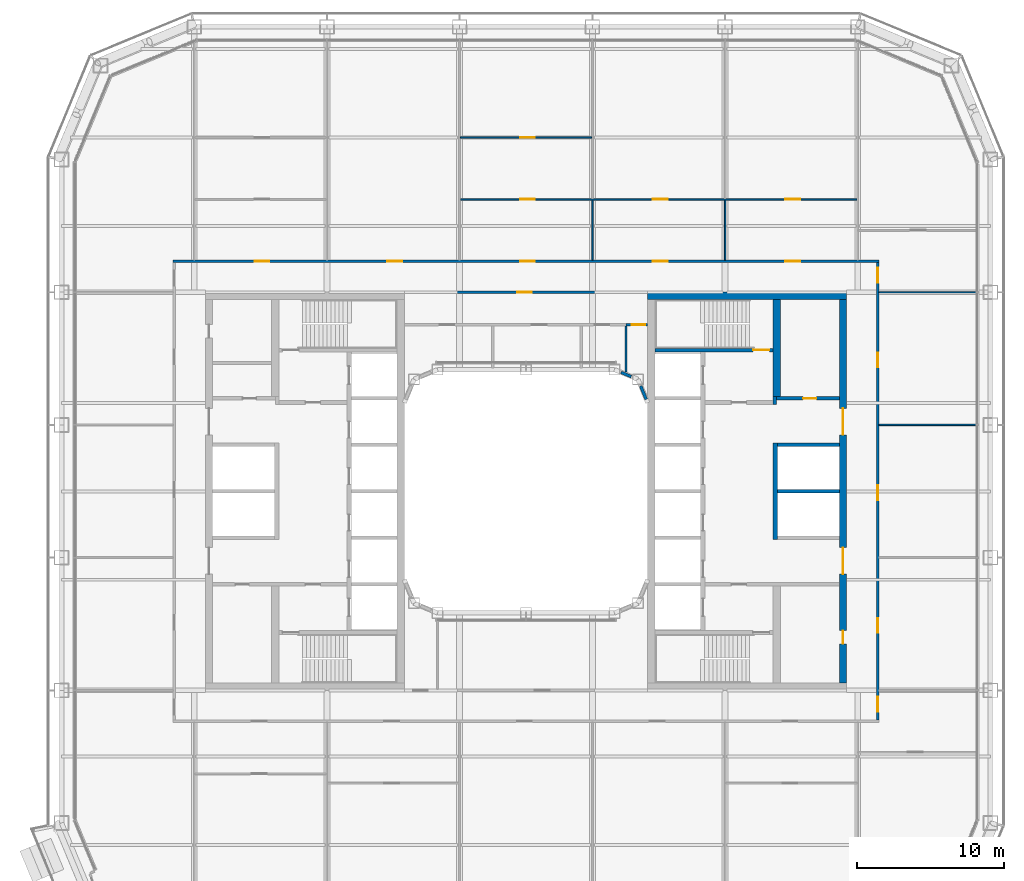
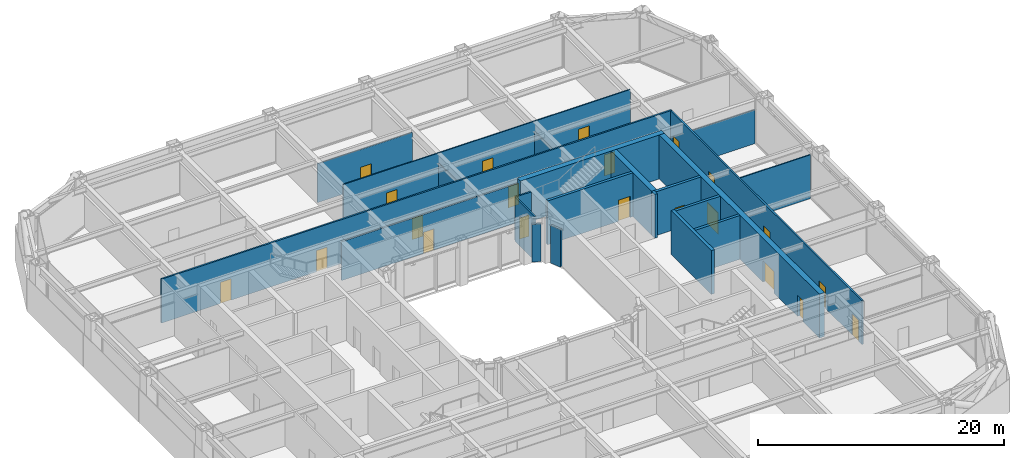
# One storey, part 16 of 27: 22 walls, 21 doors, 21 openings.
"""IFC4 building model written with IfcOpenShell, lengths in metres."""

from ifc_helpers import new_model, si_unit, direction, frame, frame_2d, origin, place, context, subcontext, project, spatial, rectangle, extrude, material, layer, layer_set, type_object, element, fill, save


model = new_model("IFC4")

# Units and contexts
model_context = context("Model", 3, precision=1e-05, world=origin(), true_north=direction((0.0, 1.0)))
body_context = subcontext(model_context, "Body", "Model", "MODEL_VIEW")
ifc_project = project(units=[si_unit("LENGTHUNIT", "METRE"), si_unit("AREAUNIT", "SQUARE_METRE"), si_unit("VOLUMEUNIT", "CUBIC_METRE"), si_unit("PLANEANGLEUNIT", "RADIAN"), si_unit("MASSUNIT", "GRAM", prefix="KILO")], contexts=[model_context])

# Site, building, storey
site_placement = place(None, origin())
site = spatial("IfcSite", under=ifc_project, at=site_placement, CompositionType="ELEMENT")
building_placement = place(site_placement, origin())
building = spatial("IfcBuilding", under=site, at=building_placement, Name="Siwar Civic Tower", CompositionType="ELEMENT")
storey_placement = place(building_placement, frame((0.0, 0.0, 53.699951171875)))
storey = spatial("IfcBuildingStorey", under=building, at=storey_placement, Name="L11", CompositionType="ELEMENT", Elevation=53.699951171875)

# Wall, opening, door
ifc_material_1 = material(Name="Gypsum board on steel studs", Category="steel")
ifc_layer_1 = layer(ifc_material_1, 0.14990234375)
ifc_layer_set_1 = layer_set([ifc_layer_1], Name="Gypsum board on steel studs")
wall_type_1 = type_object("IfcWallType", Name="COMPARTMENT PARTITION 150 EI 60", PredefinedType="PARTITIONING", material=ifc_layer_set_1)
wall_1_placement = place(storey_placement, frame((6.780029296875, 11.300048828125, 0.0), z_axis=(0.0, 0.0, 1.0), x_axis=(1.0, 0.0, 0.0)))
wall_1 = element("IfcWall", 1, at=wall_1_placement, inside=storey, type_object=wall_type_1, Name="L11/wall/P14", PredefinedType="PARTITIONING", context=body_context, shape_type="SweptSolid", body=[
    extrude(rectangle(XDim=1.469970703125, YDim=0.14990234375, at=frame_2d((0.73486328125, 0.0))), origin(), (0.0, 0.0, 1.0), 4.35009765625),
])
opening_1_placement = place(wall_1_placement, frame((0.39990234375, 0.0, 0.0)))
opening_1 = element("IfcOpeningElement", 2, at=opening_1_placement, cuts=wall_1, Name="Opening D4", PredefinedType="OPENING", context=body_context, shape_type="SweptSolid", body=[
    extrude(rectangle(XDim=0.89990234375, YDim=2.10009765625, at=frame_2d((0.449951171875, 1.050048828125))), frame((0.0, 0.0849609375, 0.0), z_axis=(0.0, -1.0, 0.0), x_axis=(1.0, 0.0, 0.0)), (0.0, 0.0, 1.0), 0.169921875),
])
ifc_material_2 = material(Name="Timber, painted", Category="wood")
door_type_1 = type_object("IfcDoorType", Name="DOOR 900 X 2100 FD60", OperationType="SINGLE_SWING_LEFT", PredefinedType="DOOR", material=ifc_material_2)
door_1_placement = place(opening_1_placement, origin())
door_1 = element("IfcDoor", 3, at=door_1_placement, inside=storey, type_object=door_type_1, Name="L11-D36", OperationType="SINGLE_SWING_RIGHT", OverallHeight=2.10009765625, OverallWidth=0.89990234375, PredefinedType="DOOR", context=body_context, shape_type="SweptSolid", body=[
    extrude(rectangle(XDim=0.89990234375, YDim=2.10009765625, at=frame_2d((0.449951171875, 1.050048828125))), frame((0.0, 0.02490234375, 0.0), z_axis=(0.0, -1.0, 0.0), x_axis=(1.0, 0.0, 0.0)), (0.0, 0.0, 1.0), 0.050048828125),
])
fill(opening_1, door_1)

# Walls
wall_2_placement = place(storey_placement, frame((6.780029296875, 8.0791015625, 0.0), z_axis=(0.0, 0.0, 1.0), x_axis=(0.0, 1.0, 0.0)))
element("IfcWall", 4, at=wall_2_placement, inside=storey, type_object=wall_type_1, Name="L11/wall/P37", PredefinedType="PARTITIONING", context=body_context, shape_type="SweptSolid", body=[
    extrude(rectangle(XDim=3.14599609375, YDim=0.14990234375, at=frame_2d((1.572998046875, 0.0))), origin(), (0.0, 0.0, 1.0), 4.35009765625),
])
ifc_material_3 = material(Name="Concrete C60/75", Category="concrete")
ifc_layer_2 = layer(ifc_material_3, 0.25)
ifc_layer_set_2 = layer_set([ifc_layer_2], Name="Concrete C60/75")
wall_type_2 = type_object("IfcWallType", Name="CORE-WALL-RC250", PredefinedType="SHEAR", material=ifc_layer_set_2)
wall_3_placement = place(storey_placement, frame((16.875, 5.89990234375, 0.0), z_axis=(0.0, 0.0, 1.0), x_axis=(0.0, 1.0, 0.0)))
element("IfcWall", 5, at=wall_3_placement, inside=storey, type_object=wall_type_2, Name="Core wall E", PredefinedType="SHEAR", context=body_context, shape_type="SweptSolid", body=[
    extrude(rectangle(XDim=0.525146484375, YDim=0.25, at=frame_2d((0.2626953125, 0.0))), origin(), (0.0, 0.0, 1.0), 4.35009765625),
])

# Wall, opening, door
wall_4_placement = place(storey_placement, frame((17.0, 6.300048828125, 0.0), z_axis=(0.0, 0.0, 1.0), x_axis=(1.0, 0.0, 0.0)))
wall_4 = element("IfcWall", 6, at=wall_4_placement, inside=storey, type_object=wall_type_2, Name="Core wall E", PredefinedType="SHEAR", context=body_context, shape_type="SweptSolid", body=[
    extrude(rectangle(XDim=4.25, YDim=0.25, at=frame_2d((2.125, 0.0))), origin(), (0.0, 0.0, 1.0), 4.35009765625),
])
opening_2_placement = place(wall_4_placement, frame((1.800048828125, 0.0, 0.0)))
opening_2 = element("IfcOpeningElement", 7, at=opening_2_placement, cuts=wall_4, Name="Opening L11-CE13", PredefinedType="OPENING", context=body_context, shape_type="SweptSolid", body=[
    extrude(rectangle(XDim=0.89990234375, YDim=2.10009765625, at=frame_2d((0.449951171875, 1.050048828125))), frame((0.0, 0.135009765625, 0.0), z_axis=(0.0, -1.0, 0.0), x_axis=(1.0, 0.0, 0.0)), (0.0, 0.0, 1.0), 0.27001953125),
])
ifc_material_4 = material(Name="Steel door leaf", Category="steel")
door_type_2 = type_object("IfcDoorType", Name="CORE-DOOR-ROOM", OperationType="SINGLE_SWING_LEFT", PredefinedType="DOOR", material=ifc_material_4)
door_2_placement = place(opening_2_placement, origin())
door_2 = element("IfcDoor", 8, at=door_2_placement, inside=storey, type_object=door_type_2, Name="Core room door L11-CE13", OperationType="SINGLE_SWING_RIGHT", OverallHeight=2.10009765625, OverallWidth=0.89990234375, PredefinedType="DOOR", context=body_context, shape_type="SweptSolid", body=[
    extrude(rectangle(XDim=0.89990234375, YDim=2.10009765625, at=frame_2d((0.449951171875, 1.050048828125))), frame((0.0, 0.02490234375, 0.0), z_axis=(0.0, -1.0, 0.0), x_axis=(1.0, 0.0, 0.0)), (0.0, 0.0, 1.0), 0.050048828125),
])
fill(opening_2, door_2)

# Walls
for number, where, z_axis, x_axis, name in (
    (9, (17.050048828125, 0.0, 0.0), (0.0, 0.0, 1.0), (1.0, 0.0, 0.0), "Core wall E"),
    (10, (17.050048828125, 3.14990234375, 0.0), (0.0, 0.0, 1.0), (1.0, 0.0, 0.0), "Core wall E"),
):
    element("IfcWall", number, at=place(storey_placement, frame(where, z_axis=z_axis, x_axis=x_axis)), inside=storey, type_object=wall_type_2, Name=name, PredefinedType="SHEAR", context=body_context, shape_type="SweptSolid", body=[
        extrude(rectangle(XDim=4.199951171875, YDim=0.25, at=frame_2d((2.10009765625, 0.0))), origin(), (0.0, 0.0, 1.0), 4.35009765625),
    ])

# Wall, opening, door
wall_5_placement = place(storey_placement, frame((8.75, 9.574951171875, 0.0), z_axis=(0.0, 0.0, 1.0), x_axis=(1.0, 0.0, 0.0)))
wall_5 = element("IfcWall", 11, at=wall_5_placement, inside=storey, type_object=wall_type_2, Name="Core wall E", PredefinedType="SHEAR", context=body_context, shape_type="SweptSolid", body=[
    extrude(rectangle(XDim=8.0, YDim=0.25, at=frame_2d((4.0, 0.0))), origin(), (0.0, 0.0, 1.0), 4.35009765625),
])
opening_3_placement = place(wall_5_placement, frame((6.64990234375, 0.0, 0.0)))
opening_3 = element("IfcOpeningElement", 12, at=opening_3_placement, cuts=wall_5, Name="Opening L11-CE03", PredefinedType="OPENING", context=body_context, shape_type="SweptSolid", body=[
    extrude(rectangle(XDim=1.10009765625, YDim=2.10009765625, at=frame_2d((0.550048828125, 1.050048828125))), frame((0.0, 0.135009765625, 0.0), z_axis=(0.0, -1.0, 0.0), x_axis=(1.0, 0.0, 0.0)), (0.0, 0.0, 1.0), 0.27001953125),
])
ifc_material_5 = material(Name="Steel door leaf", Category="steel")
door_type_3 = type_object("IfcDoorType", Name="CORE-DOOR-FD60S", OperationType="SINGLE_SWING_LEFT", PredefinedType="DOOR", material=ifc_material_5)
door_3_placement = place(opening_3_placement, origin())
door_3 = element("IfcDoor", 13, at=door_3_placement, inside=storey, type_object=door_type_3, Name="Stair door L11-CE03", OperationType="SINGLE_SWING_LEFT", OverallHeight=2.10009765625, OverallWidth=1.10009765625, PredefinedType="DOOR", context=body_context, shape_type="SweptSolid", body=[
    extrude(rectangle(XDim=1.10009765625, YDim=2.10009765625, at=frame_2d((0.550048828125, 1.050048828125))), frame((0.0, 0.02490234375, 0.0), z_axis=(0.0, -1.0, 0.0), x_axis=(1.0, 0.0, 0.0)), (0.0, 0.0, 1.0), 0.050048828125),
])
fill(opening_3, door_3)

# Wall
ifc_material_6 = material(Name="Concrete C60/75", Category="concrete")
ifc_layer_3 = layer(ifc_material_6, 0.300048828125)
ifc_layer_set_3 = layer_set([ifc_layer_3], Name="Concrete C60/75")
wall_type_3 = type_object("IfcWallType", Name="CORE-WALL-RC300", PredefinedType="SHEAR", material=ifc_layer_set_3)
wall_6_placement = place(storey_placement, frame((16.89990234375, -3.27490234375, 0.0), z_axis=(0.0, 0.0, 1.0), x_axis=(0.0, 1.0, 0.0)))
element("IfcWall", 14, at=wall_6_placement, inside=storey, type_object=wall_type_3, Name="Core wall E", PredefinedType="SHEAR", context=body_context, shape_type="SweptSolid", body=[
    extrude(rectangle(XDim=6.5498046875, YDim=0.300048828125, at=frame_2d((3.27490234375, 0.0))), origin(), (0.0, 0.0, 1.0), 4.35009765625),
])

# Wall, openings, doors
ifc_material_7 = material(Name="Concrete C60/75", Category="concrete")
ifc_layer_4 = layer(ifc_material_7, 0.5)
ifc_layer_set_4 = layer_set([ifc_layer_4], Name="Concrete C60/75")
wall_type_4 = type_object("IfcWallType", Name="CORE-WALL-RC500", PredefinedType="SHEAR", material=ifc_layer_set_4)
wall_7_placement = place(storey_placement, frame((21.5, -13.0, 0.0), z_axis=(0.0, 0.0, 1.0), x_axis=(0.0, 1.0, 0.0)))
wall_7 = element("IfcWall", 15, at=wall_7_placement, inside=storey, type_object=wall_type_4, Name="Core wall E", PredefinedType="SHEAR", context=body_context, shape_type="SweptSolid", body=[
    extrude(rectangle(XDim=26.0, YDim=0.5, at=frame_2d((13.0, 0.0))), origin(), (0.0, 0.0, 1.0), 4.35009765625),
])
opening_4_placement = place(wall_7_placement, frame((16.824951171875, 0.0, 0.0)))
opening_4 = element("IfcOpeningElement", 16, at=opening_4_placement, cuts=wall_7, Name="Opening L11-CE05", PredefinedType="OPENING", context=body_context, shape_type="SweptSolid", body=[
    extrude(rectangle(XDim=1.800048828125, YDim=2.10009765625, at=frame_2d((0.89990234375, 1.050048828125))), frame((0.0, 0.260009765625, 0.0), z_axis=(0.0, -1.0, 0.0), x_axis=(1.0, 0.0, 0.0)), (0.0, 0.0, 1.0), 0.52001953125),
])
opening_5_placement = place(wall_7_placement, frame((7.375, 0.0, 0.0)))
opening_5 = element("IfcOpeningElement", 17, at=opening_5_placement, cuts=wall_7, Name="Opening L11-CE06", PredefinedType="OPENING", context=body_context, shape_type="SweptSolid", body=[
    extrude(rectangle(XDim=1.800048828125, YDim=2.10009765625, at=frame_2d((0.89990234375, 1.050048828125))), frame((0.0, 0.260009765625, 0.0), z_axis=(0.0, -1.0, 0.0), x_axis=(1.0, 0.0, 0.0)), (0.0, 0.0, 1.0), 0.52001953125),
])
opening_6_placement = place(wall_7_placement, frame((2.64990234375, 0.0, 0.0)))
opening_6 = element("IfcOpeningElement", 18, at=opening_6_placement, cuts=wall_7, Name="Opening L11-CE14", PredefinedType="OPENING", context=body_context, shape_type="SweptSolid", body=[
    extrude(rectangle(XDim=0.89990234375, YDim=2.10009765625, at=frame_2d((0.449951171875, 1.050048828125))), frame((0.0, 0.260009765625, 0.0), z_axis=(0.0, -1.0, 0.0), x_axis=(1.0, 0.0, 0.0)), (0.0, 0.0, 1.0), 0.52001953125),
])
ifc_material_8 = material(Name="Steel door leaf", Category="steel")
door_type_4 = type_object("IfcDoorType", Name="CORE-DOOR-PORT", OperationType="DOUBLE_DOOR_DOUBLE_SWING", PredefinedType="DOOR", material=ifc_material_8)
door_4_placement = place(opening_4_placement, origin())
door_4 = element("IfcDoor", 19, at=door_4_placement, inside=storey, type_object=door_type_4, Name="Core entrance door L11-CE05", OperationType="DOUBLE_DOOR_DOUBLE_SWING", OverallHeight=2.10009765625, OverallWidth=1.800048828125, PredefinedType="DOOR", context=body_context, shape_type="SweptSolid", body=[
    extrude(rectangle(XDim=1.800048828125, YDim=2.10009765625, at=frame_2d((0.89990234375, 1.050048828125))), frame((0.0, 0.02490234375, 0.0), z_axis=(0.0, -1.0, 0.0), x_axis=(1.0, 0.0, 0.0)), (0.0, 0.0, 1.0), 0.050048828125),
])
fill(opening_4, door_4)
door_5_placement = place(opening_5_placement, origin())
door_5 = element("IfcDoor", 20, at=door_5_placement, inside=storey, type_object=door_type_4, Name="Core entrance door L11-CE06", OperationType="DOUBLE_DOOR_DOUBLE_SWING", OverallHeight=2.10009765625, OverallWidth=1.800048828125, PredefinedType="DOOR", context=body_context, shape_type="SweptSolid", body=[
    extrude(rectangle(XDim=1.800048828125, YDim=2.10009765625, at=frame_2d((0.89990234375, 1.050048828125))), frame((0.0, 0.02490234375, 0.0), z_axis=(0.0, -1.0, 0.0), x_axis=(1.0, 0.0, 0.0)), (0.0, 0.0, 1.0), 0.050048828125),
])
fill(opening_5, door_5)
door_6_placement = place(opening_6_placement, origin())
door_6 = element("IfcDoor", 21, at=door_6_placement, inside=storey, type_object=door_type_2, Name="Core room door L11-CE14", OperationType="SINGLE_SWING_RIGHT", OverallHeight=2.10009765625, OverallWidth=0.89990234375, PredefinedType="DOOR", context=body_context, shape_type="SweptSolid", body=[
    extrude(rectangle(XDim=0.89990234375, YDim=2.10009765625, at=frame_2d((0.449951171875, 1.050048828125))), frame((0.0, 0.02490234375, 0.0), z_axis=(0.0, -1.0, 0.0), x_axis=(1.0, 0.0, 0.0)), (0.0, 0.0, 1.0), 0.050048828125),
])
fill(opening_6, door_6)

# Walls
wall_8_placement = place(storey_placement, frame((17.0, 6.425048828125, 0.0), z_axis=(0.0, 0.0, 1.0), x_axis=(0.0, 1.0, 0.0)))
element("IfcWall", 22, at=wall_8_placement, inside=storey, type_object=wall_type_4, Name="Core wall E", PredefinedType="SHEAR", context=body_context, shape_type="SweptSolid", body=[
    extrude(rectangle(XDim=6.574951171875, YDim=0.5, at=frame_2d((3.28759765625, 0.0))), origin(), (0.0, 0.0, 1.0), 4.35009765625),
])
wall_9_placement = place(storey_placement, frame((8.25, 13.25, 0.0), z_axis=(0.0, 0.0, 1.0), x_axis=(1.0, 0.0, 0.0)))
element("IfcWall", 23, at=wall_9_placement, inside=storey, type_object=wall_type_4, Name="Core wall E", PredefinedType="SHEAR", context=body_context, shape_type="SweptSolid", body=[
    extrude(rectangle(XDim=13.5, YDim=0.5, at=frame_2d((6.75, 0.0))), origin(), (0.0, 0.0, 1.0), 4.35009765625),
])

# Wall, opening, door
ifc_material_9 = material(Name="Gypsum board on steel studs", Category="steel")
ifc_layer_5 = layer(ifc_material_9, 0.14990234375)
ifc_layer_set_5 = layer_set([ifc_layer_5], Name="Gypsum board on steel studs")
wall_type_5 = type_object("IfcWallType", Name="CORRIDOR PARTITION 150 EI 30", PredefinedType="PARTITIONING", material=ifc_layer_set_5)
wall_10_placement = place(storey_placement, frame((-8.25, 13.5, 0.0), z_axis=(0.0, 0.0, 1.0), x_axis=(1.0, 0.0, 0.0)))
wall_10 = element("IfcWall", 24, at=wall_10_placement, inside=storey, type_object=wall_type_5, Name="L11/wall/P17", PredefinedType="PARTITIONING", context=body_context, shape_type="SweptSolid", body=[
    extrude(rectangle(XDim=16.5, YDim=0.14990234375, at=frame_2d((8.25, 0.0))), origin(), (0.0, 0.0, 1.0), 3.85009765625),
])
opening_7_placement = place(wall_10_placement, frame((7.64990234375, 0.0, 0.0)))
opening_7 = element("IfcOpeningElement", 25, at=opening_7_placement, cuts=wall_10, Name="Opening D1", PredefinedType="OPENING", context=body_context, shape_type="SweptSolid", body=[
    extrude(rectangle(XDim=1.0, YDim=2.10009765625, at=frame_2d((0.5, 1.050048828125))), frame((0.0, 0.0849609375, 0.0), z_axis=(0.0, -1.0, 0.0), x_axis=(1.0, 0.0, 0.0)), (0.0, 0.0, 1.0), 0.169921875),
])
ifc_material_10 = material(Name="Timber, painted", Category="wood")
door_type_5 = type_object("IfcDoorType", Name="DOOR 1000 X 2100 FD30", OperationType="SINGLE_SWING_LEFT", PredefinedType="DOOR", material=ifc_material_10)
door_7_placement = place(opening_7_placement, origin())
door_7 = element("IfcDoor", 26, at=door_7_placement, inside=storey, type_object=door_type_5, Name="L11-D32", OperationType="SINGLE_SWING_RIGHT", OverallHeight=2.10009765625, OverallWidth=1.0, PredefinedType="DOOR", context=body_context, shape_type="SweptSolid", body=[
    extrude(rectangle(XDim=1.0, YDim=2.10009765625, at=frame_2d((0.5, 1.050048828125))), frame((0.0, 0.02490234375, 0.0), z_axis=(0.0, -1.0, 0.0), x_axis=(1.0, 0.0, 0.0)), (0.0, 0.0, 1.0), 0.050048828125),
])
fill(opening_7, door_7)

# Wall, openings, doors
wall_11_placement = place(storey_placement, frame((-23.925048828125, 15.60009765625, 0.0), z_axis=(0.0, 0.0, 1.0), x_axis=(1.0, 0.0, 0.0)))
wall_11 = element("IfcWall", 27, at=wall_11_placement, inside=storey, type_object=wall_type_5, Name="L11/wall/P18", PredefinedType="PARTITIONING", context=body_context, shape_type="SweptSolid", body=[
    extrude(rectangle(XDim=47.85009765625, YDim=0.14990234375, at=frame_2d((23.925048828125, 0.0))), origin(), (0.0, 0.0, 1.0), 4.35009765625),
])
opening_8_placement = place(wall_11_placement, frame((5.52490234375, 0.0, 0.0)))
opening_8 = element("IfcOpeningElement", 28, at=opening_8_placement, cuts=wall_11, Name="Opening D1", PredefinedType="OPENING", context=body_context, shape_type="SweptSolid", body=[
    extrude(rectangle(XDim=1.0, YDim=2.10009765625, at=frame_2d((0.5, 1.050048828125))), frame((0.0, 0.0849609375, 0.0), z_axis=(0.0, -1.0, 0.0), x_axis=(1.0, 0.0, 0.0)), (0.0, 0.0, 1.0), 0.169921875),
])
opening_9_placement = place(wall_11_placement, frame((14.52490234375, 0.0, 0.0)))
opening_9 = element("IfcOpeningElement", 29, at=opening_9_placement, cuts=wall_11, Name="Opening D1", PredefinedType="OPENING", context=body_context, shape_type="SweptSolid", body=[
    extrude(rectangle(XDim=1.0, YDim=2.10009765625, at=frame_2d((0.5, 1.050048828125))), frame((0.0, 0.0849609375, 0.0), z_axis=(0.0, -1.0, 0.0), x_axis=(1.0, 0.0, 0.0)), (0.0, 0.0, 1.0), 0.169921875),
])
opening_10_placement = place(wall_11_placement, frame((23.52490234375, 0.0, 0.0)))
opening_10 = element("IfcOpeningElement", 30, at=opening_10_placement, cuts=wall_11, Name="Opening D1", PredefinedType="OPENING", context=body_context, shape_type="SweptSolid", body=[
    extrude(rectangle(XDim=1.0, YDim=2.10009765625, at=frame_2d((0.5, 1.050048828125))), frame((0.0, 0.0849609375, 0.0), z_axis=(0.0, -1.0, 0.0), x_axis=(1.0, 0.0, 0.0)), (0.0, 0.0, 1.0), 0.169921875),
])
opening_11_placement = place(wall_11_placement, frame((32.52490234375, 0.0, 0.0)))
opening_11 = element("IfcOpeningElement", 31, at=opening_11_placement, cuts=wall_11, Name="Opening D1", PredefinedType="OPENING", context=body_context, shape_type="SweptSolid", body=[
    extrude(rectangle(XDim=1.0, YDim=2.10009765625, at=frame_2d((0.5, 1.050048828125))), frame((0.0, 0.0849609375, 0.0), z_axis=(0.0, -1.0, 0.0), x_axis=(1.0, 0.0, 0.0)), (0.0, 0.0, 1.0), 0.169921875),
])
opening_12_placement = place(wall_11_placement, frame((41.52490234375, 0.0, 0.0)))
opening_12 = element("IfcOpeningElement", 32, at=opening_12_placement, cuts=wall_11, Name="Opening D1", PredefinedType="OPENING", context=body_context, shape_type="SweptSolid", body=[
    extrude(rectangle(XDim=1.0, YDim=2.10009765625, at=frame_2d((0.5, 1.050048828125))), frame((0.0, 0.0849609375, 0.0), z_axis=(0.0, -1.0, 0.0), x_axis=(1.0, 0.0, 0.0)), (0.0, 0.0, 1.0), 0.169921875),
])
door_8_placement = place(opening_8_placement, origin())
door_8 = element("IfcDoor", 33, at=door_8_placement, inside=storey, type_object=door_type_5, Name="L11-D01", OperationType="SINGLE_SWING_LEFT", OverallHeight=2.10009765625, OverallWidth=1.0, PredefinedType="DOOR", context=body_context, shape_type="SweptSolid", body=[
    extrude(rectangle(XDim=1.0, YDim=2.10009765625, at=frame_2d((0.5, 1.050048828125))), frame((0.0, 0.02490234375, 0.0), z_axis=(0.0, -1.0, 0.0), x_axis=(1.0, 0.0, 0.0)), (0.0, 0.0, 1.0), 0.050048828125),
])
fill(opening_8, door_8)
door_9_placement = place(opening_9_placement, origin())
door_9 = element("IfcDoor", 34, at=door_9_placement, inside=storey, type_object=door_type_5, Name="L11-D04", OperationType="SINGLE_SWING_RIGHT", OverallHeight=2.10009765625, OverallWidth=1.0, PredefinedType="DOOR", context=body_context, shape_type="SweptSolid", body=[
    extrude(rectangle(XDim=1.0, YDim=2.10009765625, at=frame_2d((0.5, 1.050048828125))), frame((0.0, 0.02490234375, 0.0), z_axis=(0.0, -1.0, 0.0), x_axis=(1.0, 0.0, 0.0)), (0.0, 0.0, 1.0), 0.050048828125),
])
fill(opening_9, door_9)
door_10_placement = place(opening_10_placement, origin())
door_10 = element("IfcDoor", 35, at=door_10_placement, inside=storey, type_object=door_type_5, Name="L11-D05", OperationType="SINGLE_SWING_LEFT", OverallHeight=2.10009765625, OverallWidth=1.0, PredefinedType="DOOR", context=body_context, shape_type="SweptSolid", body=[
    extrude(rectangle(XDim=1.0, YDim=2.10009765625, at=frame_2d((0.5, 1.050048828125))), frame((0.0, 0.02490234375, 0.0), z_axis=(0.0, -1.0, 0.0), x_axis=(1.0, 0.0, 0.0)), (0.0, 0.0, 1.0), 0.050048828125),
])
fill(opening_10, door_10)
door_11_placement = place(opening_11_placement, origin())
door_11 = element("IfcDoor", 36, at=door_11_placement, inside=storey, type_object=door_type_5, Name="L11-D08", OperationType="SINGLE_SWING_RIGHT", OverallHeight=2.10009765625, OverallWidth=1.0, PredefinedType="DOOR", context=body_context, shape_type="SweptSolid", body=[
    extrude(rectangle(XDim=1.0, YDim=2.10009765625, at=frame_2d((0.5, 1.050048828125))), frame((0.0, 0.02490234375, 0.0), z_axis=(0.0, -1.0, 0.0), x_axis=(1.0, 0.0, 0.0)), (0.0, 0.0, 1.0), 0.050048828125),
])
fill(opening_11, door_11)
door_12_placement = place(opening_12_placement, origin())
door_12 = element("IfcDoor", 37, at=door_12_placement, inside=storey, type_object=door_type_5, Name="L11-D10", OperationType="SINGLE_SWING_RIGHT", OverallHeight=2.10009765625, OverallWidth=1.0, PredefinedType="DOOR", context=body_context, shape_type="SweptSolid", body=[
    extrude(rectangle(XDim=1.0, YDim=2.10009765625, at=frame_2d((0.5, 1.050048828125))), frame((0.0, 0.02490234375, 0.0), z_axis=(0.0, -1.0, 0.0), x_axis=(1.0, 0.0, 0.0)), (0.0, 0.0, 1.0), 0.050048828125),
])
fill(opening_12, door_12)

wall_12_placement = place(storey_placement, frame((23.85009765625, -15.52490234375, 0.0), z_axis=(0.0, 0.0, 1.0), x_axis=(0.0, 1.0, 0.0)))
wall_12 = element("IfcWall", 38, at=wall_12_placement, inside=storey, type_object=wall_type_5, Name="L11/wall/P43", PredefinedType="PARTITIONING", context=body_context, shape_type="SweptSolid", body=[
    extrude(rectangle(XDim=31.0498046875, YDim=0.14990234375, at=frame_2d((15.52490234375, 0.0))), origin(), (0.0, 0.0, 1.0), 4.35009765625),
])
opening_13_placement = place(wall_12_placement, frame((29.675048828125, 0.0, 0.0)))
opening_13 = element("IfcOpeningElement", 39, at=opening_13_placement, cuts=wall_12, Name="Opening D1", PredefinedType="OPENING", context=body_context, shape_type="SweptSolid", body=[
    extrude(rectangle(XDim=1.0, YDim=2.10009765625, at=frame_2d((0.5, 1.050048828125))), frame((0.0, 0.0849609375, 0.0), z_axis=(0.0, -1.0, 0.0), x_axis=(1.0, 0.0, 0.0)), (0.0, 0.0, 1.0), 0.169921875),
])
opening_14_placement = place(wall_12_placement, frame((0.574951171875, 0.0, 0.0)))
opening_14 = element("IfcOpeningElement", 40, at=opening_14_placement, cuts=wall_12, Name="Opening D1", PredefinedType="OPENING", context=body_context, shape_type="SweptSolid", body=[
    extrude(rectangle(XDim=1.0, YDim=2.10009765625, at=frame_2d((0.5, 1.050048828125))), frame((0.0, 0.0849609375, 0.0), z_axis=(0.0, -1.0, 0.0), x_axis=(1.0, 0.0, 0.0)), (0.0, 0.0, 1.0), 0.169921875),
])
opening_15_placement = place(wall_12_placement, frame((5.925048828125, 0.0, 0.0)))
opening_15 = element("IfcOpeningElement", 41, at=opening_15_placement, cuts=wall_12, Name="Opening D1", PredefinedType="OPENING", context=body_context, shape_type="SweptSolid", body=[
    extrude(rectangle(XDim=1.0, YDim=2.10009765625, at=frame_2d((0.5, 1.050048828125))), frame((0.0, 0.0849609375, 0.0), z_axis=(0.0, -1.0, 0.0), x_axis=(1.0, 0.0, 0.0)), (0.0, 0.0, 1.0), 0.169921875),
])
opening_16_placement = place(wall_12_placement, frame((14.925048828125, 0.0, 0.0)))
opening_16 = element("IfcOpeningElement", 42, at=opening_16_placement, cuts=wall_12, Name="Opening D1", PredefinedType="OPENING", context=body_context, shape_type="SweptSolid", body=[
    extrude(rectangle(XDim=1.0, YDim=2.10009765625, at=frame_2d((0.5, 1.050048828125))), frame((0.0, 0.0849609375, 0.0), z_axis=(0.0, -1.0, 0.0), x_axis=(1.0, 0.0, 0.0)), (0.0, 0.0, 1.0), 0.169921875),
])
opening_17_placement = place(wall_12_placement, frame((23.925048828125, 0.0, 0.0)))
opening_17 = element("IfcOpeningElement", 43, at=opening_17_placement, cuts=wall_12, Name="Opening D1", PredefinedType="OPENING", context=body_context, shape_type="SweptSolid", body=[
    extrude(rectangle(XDim=1.0, YDim=2.10009765625, at=frame_2d((0.5, 1.050048828125))), frame((0.0, 0.0849609375, 0.0), z_axis=(0.0, -1.0, 0.0), x_axis=(1.0, 0.0, 0.0)), (0.0, 0.0, 1.0), 0.169921875),
])
door_13_placement = place(opening_13_placement, origin())
door_13 = element("IfcDoor", 44, at=door_13_placement, inside=storey, type_object=door_type_5, Name="L11-D21", OperationType="SINGLE_SWING_LEFT", OverallHeight=2.10009765625, OverallWidth=1.0, PredefinedType="DOOR", context=body_context, shape_type="SweptSolid", body=[
    extrude(rectangle(XDim=1.0, YDim=2.10009765625, at=frame_2d((0.5, 1.050048828125))), frame((0.0, 0.02490234375, 0.0), z_axis=(0.0, -1.0, 0.0), x_axis=(1.0, 0.0, 0.0)), (0.0, 0.0, 1.0), 0.050048828125),
])
fill(opening_13, door_13)
door_14_placement = place(opening_14_placement, origin())
door_14 = element("IfcDoor", 45, at=door_14_placement, inside=storey, type_object=door_type_5, Name="L11-D24", OperationType="SINGLE_SWING_RIGHT", OverallHeight=2.10009765625, OverallWidth=1.0, PredefinedType="DOOR", context=body_context, shape_type="SweptSolid", body=[
    extrude(rectangle(XDim=1.0, YDim=2.10009765625, at=frame_2d((0.5, 1.050048828125))), frame((0.0, 0.02490234375, 0.0), z_axis=(0.0, -1.0, 0.0), x_axis=(1.0, 0.0, 0.0)), (0.0, 0.0, 1.0), 0.050048828125),
])
fill(opening_14, door_14)
door_15_placement = place(opening_15_placement, origin())
door_15 = element("IfcDoor", 46, at=door_15_placement, inside=storey, type_object=door_type_5, Name="L11-D29", OperationType="SINGLE_SWING_LEFT", OverallHeight=2.10009765625, OverallWidth=1.0, PredefinedType="DOOR", context=body_context, shape_type="SweptSolid", body=[
    extrude(rectangle(XDim=1.0, YDim=2.10009765625, at=frame_2d((0.5, 1.050048828125))), frame((0.0, 0.02490234375, 0.0), z_axis=(0.0, -1.0, 0.0), x_axis=(1.0, 0.0, 0.0)), (0.0, 0.0, 1.0), 0.050048828125),
])
fill(opening_15, door_15)
door_16_placement = place(opening_16_placement, origin())
door_16 = element("IfcDoor", 47, at=door_16_placement, inside=storey, type_object=door_type_5, Name="L11-D30", OperationType="SINGLE_SWING_RIGHT", OverallHeight=2.10009765625, OverallWidth=1.0, PredefinedType="DOOR", context=body_context, shape_type="SweptSolid", body=[
    extrude(rectangle(XDim=1.0, YDim=2.10009765625, at=frame_2d((0.5, 1.050048828125))), frame((0.0, 0.02490234375, 0.0), z_axis=(0.0, -1.0, 0.0), x_axis=(1.0, 0.0, 0.0)), (0.0, 0.0, 1.0), 0.050048828125),
])
fill(opening_16, door_16)
door_17_placement = place(opening_17_placement, origin())
door_17 = element("IfcDoor", 48, at=door_17_placement, inside=storey, type_object=door_type_5, Name="L11-D31", OperationType="SINGLE_SWING_LEFT", OverallHeight=2.10009765625, OverallWidth=1.0, PredefinedType="DOOR", context=body_context, shape_type="SweptSolid", body=[
    extrude(rectangle(XDim=1.0, YDim=2.10009765625, at=frame_2d((0.5, 1.050048828125))), frame((0.0, 0.02490234375, 0.0), z_axis=(0.0, -1.0, 0.0), x_axis=(1.0, 0.0, 0.0)), (0.0, 0.0, 1.0), 0.050048828125),
])
fill(opening_17, door_17)

# Walls
ifc_material_11 = material(Name="Aluminium clad insulated panel", Category="aluminium")
ifc_layer_6 = layer(ifc_material_11, 0.199951171875)
ifc_layer_set_6 = layer_set([ifc_layer_6], Name="Aluminium clad insulated panel")
wall_type_6 = type_object("IfcWallType", Name="ENV-WALL-WELL", PredefinedType="STANDARD", material=ifc_layer_set_6)
wall_13_placement = place(storey_placement, frame((8.154296875, 6.23095703125, 0.0), z_axis=(0.0, 0.0, 1.0), x_axis=(-0.382549378284, 0.923935048136, 0.0)))
element("IfcWall", 49, at=wall_13_placement, inside=storey, type_object=wall_type_6, Name="Light well corner wall NE1", PredefinedType="STANDARD", context=body_context, shape_type="SweptSolid", body=[
    extrude(rectangle(XDim=0.982177734375, YDim=0.199951171875, at=frame_2d((0.4912109375, 0.0))), origin(), (0.0, 0.0, 1.0), 3.72998046875),
])
wall_14_placement = place(storey_placement, frame((7.138427734375, 7.778564453125, 0.0), z_axis=(0.0, 0.0, 1.0), x_axis=(-0.923940677943, 0.382535780864, 0.0)))
element("IfcWall", 50, at=wall_14_placement, inside=storey, type_object=wall_type_6, Name="Light well corner wall NE2", PredefinedType="STANDARD", context=body_context, shape_type="SweptSolid", body=[
    extrude(rectangle(XDim=0.7421875, YDim=0.199951171875, at=frame_2d((0.37109375, 0.0))), origin(), (0.0, 0.0, 1.0), 3.72998046875),
])
ifc_material_12 = material(Name="Gypsum board on steel studs", Category="steel")
ifc_layer_7 = layer(ifc_material_12, 0.10009765625)
ifc_layer_set_7 = layer_set([ifc_layer_7], Name="Gypsum board on steel studs")
wall_type_7 = type_object("IfcWallType", Name="PARTITION 100 GYPSUM", PredefinedType="PARTITIONING", material=ifc_layer_set_7)
wall_15_placement = place(storey_placement, frame((23.925048828125, 4.5, 0.0), z_axis=(0.0, 0.0, 1.0), x_axis=(1.0, 0.0, 0.0)))
element("IfcWall", 51, at=wall_15_placement, inside=storey, type_object=wall_type_7, Name="L11/wall/P12", PredefinedType="PARTITIONING", context=body_context, shape_type="SweptSolid", body=[
    extrude(rectangle(XDim=6.5849609375, YDim=0.10009765625, at=frame_2d((3.29248046875, 0.0))), origin(), (0.0, 0.0, 1.0), 4.35009765625),
])
wall_16_placement = place(storey_placement, frame((23.925048828125, 13.5, 0.0), z_axis=(0.0, 0.0, 1.0), x_axis=(1.0, 0.0, 0.0)))
element("IfcWall", 52, at=wall_16_placement, inside=storey, type_object=wall_type_7, Name="L11/wall/P16", PredefinedType="PARTITIONING", context=body_context, shape_type="SweptSolid", body=[
    extrude(rectangle(XDim=6.5849609375, YDim=0.10009765625, at=frame_2d((3.29248046875, 0.0))), origin(), (0.0, 0.0, 1.0), 3.35009765625),
])

# Wall, openings, doors
wall_17_placement = place(storey_placement, frame((-4.449951171875, 19.800048828125, 0.0), z_axis=(0.0, 0.0, 1.0), x_axis=(1.0, 0.0, 0.0)))
wall_17 = element("IfcWall", 53, at=wall_17_placement, inside=storey, type_object=wall_type_7, Name="L11/wall/P21", PredefinedType="PARTITIONING", context=body_context, shape_type="SweptSolid", body=[
    extrude(rectangle(XDim=26.89990234375, YDim=0.10009765625, at=frame_2d((13.449951171875, 0.0))), origin(), (0.0, 0.0, 1.0), 4.35009765625),
])
opening_18_placement = place(wall_17_placement, frame((4.050048828125, 0.0, 0.0)))
opening_18 = element("IfcOpeningElement", 54, at=opening_18_placement, cuts=wall_17, Name="Opening D2", PredefinedType="OPENING", context=body_context, shape_type="SweptSolid", body=[
    extrude(rectangle(XDim=1.0, YDim=2.10009765625, at=frame_2d((0.5, 1.050048828125))), frame((0.0, 0.06005859375, 0.0), z_axis=(0.0, -1.0, 0.0), x_axis=(1.0, 0.0, 0.0)), (0.0, 0.0, 1.0), 0.1201171875),
])
opening_19_placement = place(wall_17_placement, frame((13.050048828125, 0.0, 0.0)))
opening_19 = element("IfcOpeningElement", 55, at=opening_19_placement, cuts=wall_17, Name="Opening D2", PredefinedType="OPENING", context=body_context, shape_type="SweptSolid", body=[
    extrude(rectangle(XDim=1.0, YDim=2.10009765625, at=frame_2d((0.5, 1.050048828125))), frame((0.0, 0.06005859375, 0.0), z_axis=(0.0, -1.0, 0.0), x_axis=(1.0, 0.0, 0.0)), (0.0, 0.0, 1.0), 0.1201171875),
])
opening_20_placement = place(wall_17_placement, frame((22.050048828125, 0.0, 0.0)))
opening_20 = element("IfcOpeningElement", 56, at=opening_20_placement, cuts=wall_17, Name="Opening D2", PredefinedType="OPENING", context=body_context, shape_type="SweptSolid", body=[
    extrude(rectangle(XDim=1.0, YDim=2.10009765625, at=frame_2d((0.5, 1.050048828125))), frame((0.0, 0.06005859375, 0.0), z_axis=(0.0, -1.0, 0.0), x_axis=(1.0, 0.0, 0.0)), (0.0, 0.0, 1.0), 0.1201171875),
])
ifc_material_13 = material(Name="Timber, painted", Category="wood")
door_type_6 = type_object("IfcDoorType", Name="DOOR 1000 X 2100", OperationType="SINGLE_SWING_LEFT", PredefinedType="DOOR", material=ifc_material_13)
door_18_placement = place(opening_18_placement, origin())
door_18 = element("IfcDoor", 57, at=door_18_placement, inside=storey, type_object=door_type_6, Name="L11-D06", OperationType="SINGLE_SWING_RIGHT", OverallHeight=2.10009765625, OverallWidth=1.0, PredefinedType="DOOR", context=body_context, shape_type="SweptSolid", body=[
    extrude(rectangle(XDim=1.0, YDim=2.10009765625, at=frame_2d((0.5, 1.050048828125))), frame((0.0, 0.02490234375, 0.0), z_axis=(0.0, -1.0, 0.0), x_axis=(1.0, 0.0, 0.0)), (0.0, 0.0, 1.0), 0.050048828125),
])
fill(opening_18, door_18)
door_19_placement = place(opening_19_placement, origin())
door_19 = element("IfcDoor", 58, at=door_19_placement, inside=storey, type_object=door_type_6, Name="L11-D09", OperationType="SINGLE_SWING_LEFT", OverallHeight=2.10009765625, OverallWidth=1.0, PredefinedType="DOOR", context=body_context, shape_type="SweptSolid", body=[
    extrude(rectangle(XDim=1.0, YDim=2.10009765625, at=frame_2d((0.5, 1.050048828125))), frame((0.0, 0.02490234375, 0.0), z_axis=(0.0, -1.0, 0.0), x_axis=(1.0, 0.0, 0.0)), (0.0, 0.0, 1.0), 0.050048828125),
])
fill(opening_19, door_19)
door_20_placement = place(opening_20_placement, origin())
door_20 = element("IfcDoor", 59, at=door_20_placement, inside=storey, type_object=door_type_6, Name="L11-D11", OperationType="SINGLE_SWING_LEFT", OverallHeight=2.10009765625, OverallWidth=1.0, PredefinedType="DOOR", context=body_context, shape_type="SweptSolid", body=[
    extrude(rectangle(XDim=1.0, YDim=2.10009765625, at=frame_2d((0.5, 1.050048828125))), frame((0.0, 0.02490234375, 0.0), z_axis=(0.0, -1.0, 0.0), x_axis=(1.0, 0.0, 0.0)), (0.0, 0.0, 1.0), 0.050048828125),
])
fill(opening_20, door_20)

# Wall, opening, door
wall_18_placement = place(storey_placement, frame((-4.449951171875, 24.0, 0.0), z_axis=(0.0, 0.0, 1.0), x_axis=(1.0, 0.0, 0.0)))
wall_18 = element("IfcWall", 60, at=wall_18_placement, inside=storey, type_object=wall_type_7, Name="L11/wall/P23", PredefinedType="PARTITIONING", context=body_context, shape_type="SweptSolid", body=[
    extrude(rectangle(XDim=8.89990234375, YDim=0.10009765625, at=frame_2d((4.449951171875, 0.0))), origin(), (0.0, 0.0, 1.0), 3.85009765625),
])
opening_21_placement = place(wall_18_placement, frame((4.050048828125, 0.0, 0.0)))
opening_21 = element("IfcOpeningElement", 61, at=opening_21_placement, cuts=wall_18, Name="Opening D2", PredefinedType="OPENING", context=body_context, shape_type="SweptSolid", body=[
    extrude(rectangle(XDim=1.0, YDim=2.10009765625, at=frame_2d((0.5, 1.050048828125))), frame((0.0, 0.06005859375, 0.0), z_axis=(0.0, -1.0, 0.0), x_axis=(1.0, 0.0, 0.0)), (0.0, 0.0, 1.0), 0.1201171875),
])
door_21_placement = place(opening_21_placement, origin())
door_21 = element("IfcDoor", 62, at=door_21_placement, inside=storey, type_object=door_type_6, Name="L11-D07", OperationType="SINGLE_SWING_LEFT", OverallHeight=2.10009765625, OverallWidth=1.0, PredefinedType="DOOR", context=body_context, shape_type="SweptSolid", body=[
    extrude(rectangle(XDim=1.0, YDim=2.10009765625, at=frame_2d((0.5, 1.050048828125))), frame((0.0, 0.02490234375, 0.0), z_axis=(0.0, -1.0, 0.0), x_axis=(1.0, 0.0, 0.0)), (0.0, 0.0, 1.0), 0.050048828125),
])
fill(opening_21, door_21)

# Walls
for number, where, z_axis, x_axis, name in (
    (63, (4.5, 15.675048828125, 0.0), (0.0, 0.0, 1.0), (0.0, 1.0, 0.0), "L11/wall/P35"),
    (64, (13.5, 15.675048828125, 0.0), (0.0, 0.0, 1.0), (0.0, 1.0, 0.0), "L11/wall/P39"),
):
    element("IfcWall", number, at=place(storey_placement, frame(where, z_axis=z_axis, x_axis=x_axis)), inside=storey, type_object=wall_type_7, Name=name, PredefinedType="PARTITIONING", context=body_context, shape_type="SweptSolid", body=[
        extrude(rectangle(XDim=4.074951171875, YDim=0.10009765625, at=frame_2d((2.03759765625, 0.0))), origin(), (0.0, 0.0, 1.0), 3.35009765625),
    ])

save(model, "model.ifc")
